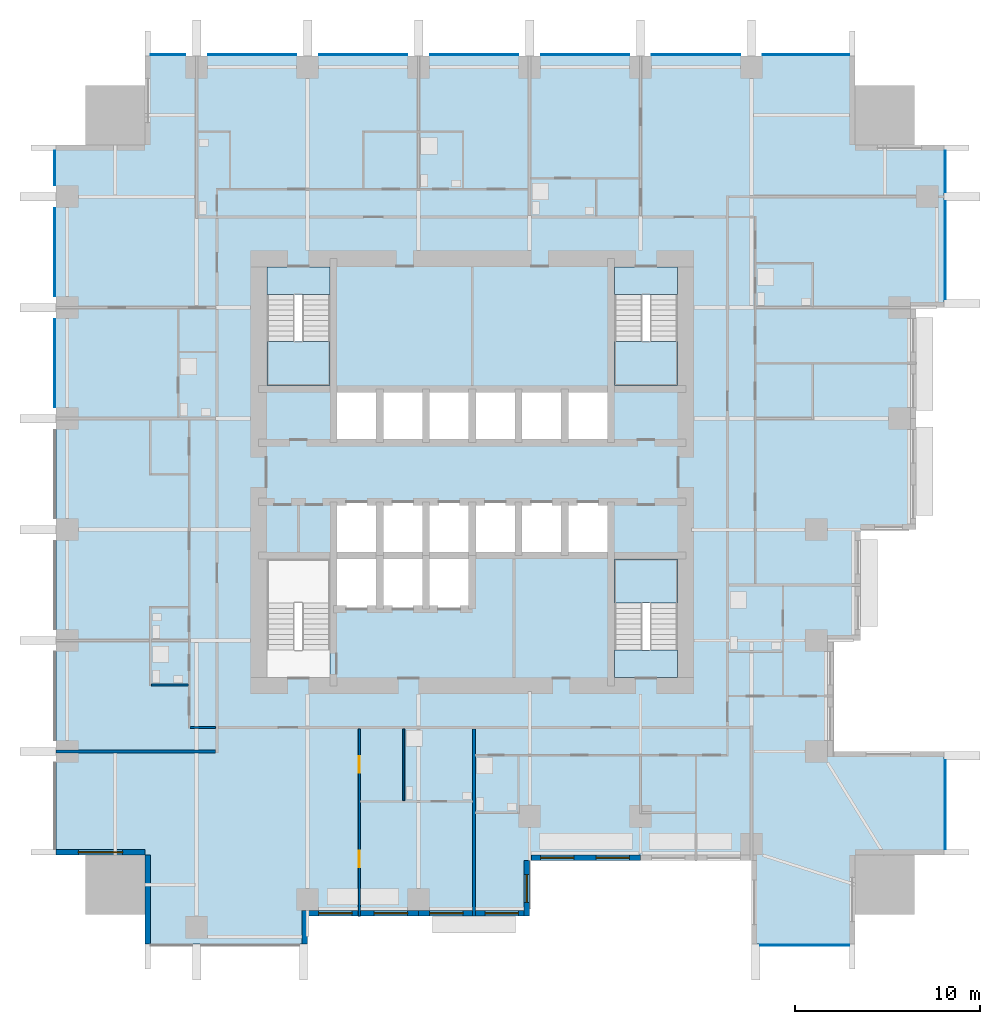
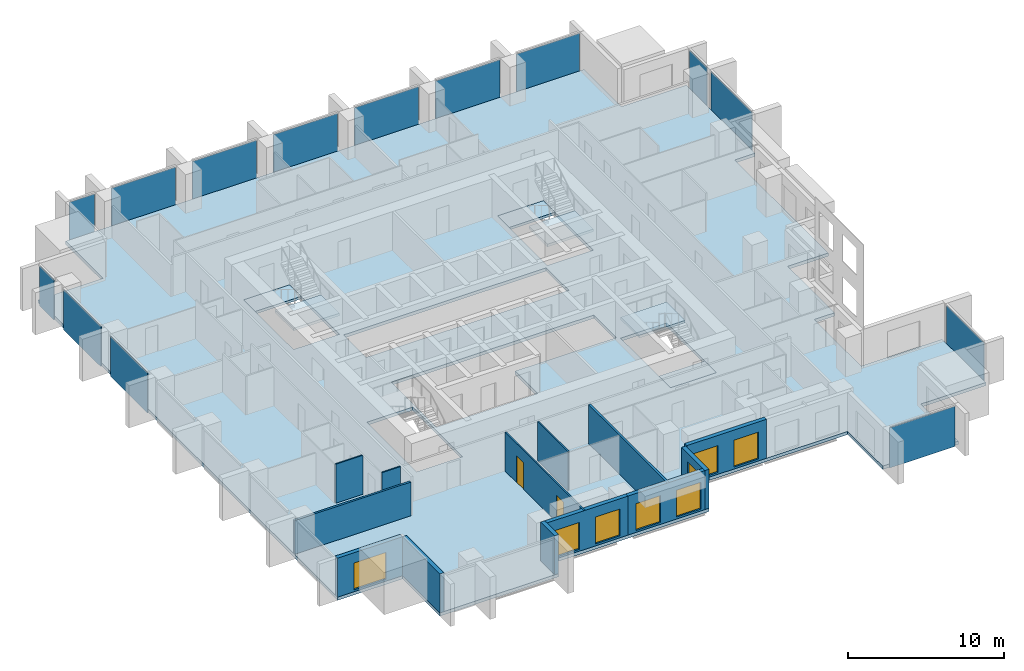
# One storey, part 3 of 10: 14 plates, 13 walls, 8 windows, 7 slabs, 2 doors, 10 openings, 8 elements without a shape of their own.
"""IFC4 building model written with IfcOpenShell, lengths in metres."""

from ifc_helpers import new_model, si_unit, direction, frame, frame_2d, origin, origin_2d, place, context, subcontext, project, spatial, polyline, rectangle, outline, extrude, material, layer, layer_set, type_object, element, fill, aggregate, save


model = new_model("IFC4")

# Units and contexts
model_context = context("Model", 3, precision=1e-05, world=origin(), true_north=direction((0.0, 1.0)))
body_context = subcontext(model_context, "Body", "Model", "MODEL_VIEW")
ifc_project = project(units=[si_unit("LENGTHUNIT", "METRE"), si_unit("AREAUNIT", "SQUARE_METRE"), si_unit("VOLUMEUNIT", "CUBIC_METRE"), si_unit("PLANEANGLEUNIT", "RADIAN"), si_unit("MASSUNIT", "GRAM", prefix="KILO")], contexts=[model_context])

# Site, building, storey
site_placement = place(None, origin())
site = spatial("IfcSite", under=ifc_project, at=site_placement, CompositionType="ELEMENT")
building_placement = place(site_placement, origin())
building = spatial("IfcBuilding", under=site, at=building_placement, Name="Amberfall Residences", CompositionType="ELEMENT")
storey_placement = place(building_placement, frame((0.0, 0.0, 40.0)))
storey = spatial("IfcBuildingStorey", under=building, at=storey_placement, Name="L10", CompositionType="ELEMENT", Elevation=40.0)

# Curtain wall, plate
ifc_material_1 = material(Name="Bronze anodised aluminium and glass", Category="aluminium")
curtain_wall_type = type_object("IfcCurtainWallType", Name="Curtain wall CW1 tower unit", PredefinedType="USERDEFINED", material=ifc_material_1)
curtain_wall_1_placement = place(storey_placement, origin())
curtain_wall_1 = element("IfcCurtainWall", 1, at=curtain_wall_1_placement, inside=storey, type_object=curtain_wall_type, Name="Curtain wall L10 S S9", ObjectType="UNITISED CURTAIN WALL", PredefinedType="USERDEFINED")
ifc_material_2 = material(Name="Tinted double glazed unit", Category="glass")
ifc_layer_1 = layer(ifc_material_2, 0.035888671875)
ifc_layer_set_1 = layer_set([ifc_layer_1], Name="CW1 panel 36 glazing")
plate_type = type_object("IfcPlateType", Name="CW1 panel 36 glazing", PredefinedType="CURTAIN_PANEL", material=ifc_layer_set_1)
plate_1_placement = place(storey_placement, frame((92.47509765625, 19.925048828125, -0.25), z_axis=(0.0, 0.0, 1.0), x_axis=(1.0, 0.0, 0.0)))
plate_1 = element("IfcPlate", 2, at=plate_1_placement, type_object=plate_type, Name="CW1 panel 1.1", PredefinedType="CURTAIN_PANEL", context=body_context, shape_type="SweptSolid", body=[
    extrude(rectangle(XDim=4.825927734375, YDim=0.035888671875, at=origin_2d()), origin(), (0.0, 0.0, 1.0), 3.14990234375),
])
aggregate(curtain_wall_1, [plate_1])

curtain_wall_2_placement = place(storey_placement, origin())
curtain_wall_2 = element("IfcCurtainWall", 3, at=curtain_wall_2_placement, inside=storey, type_object=curtain_wall_type, Name="Curtain wall L10 E E1", ObjectType="UNITISED CURTAIN WALL", PredefinedType="USERDEFINED")
plate_2_placement = place(storey_placement, frame((100.074951171875, 27.52490234375, -0.25), z_axis=(0.0, 0.0, 1.0), x_axis=(0.0, 1.0, 0.0)))
plate_2 = element("IfcPlate", 4, at=plate_2_placement, type_object=plate_type, Name="CW1 panel 1.1", PredefinedType="CURTAIN_PANEL", context=body_context, shape_type="SweptSolid", body=[
    extrude(rectangle(XDim=4.825927734375, YDim=0.035888671875, at=origin_2d()), origin(), (0.0, 0.0, 1.0), 3.14990234375),
])
aggregate(curtain_wall_2, [plate_2])

# Curtain wall, plates
curtain_wall_3_placement = place(storey_placement, origin())
curtain_wall_3 = element("IfcCurtainWall", 5, at=curtain_wall_3_placement, inside=storey, type_object=curtain_wall_type, Name="Curtain wall L10 E E10", ObjectType="UNITISED CURTAIN WALL", PredefinedType="USERDEFINED")
plate_3_placement = place(storey_placement, frame((100.074951171875, 57.512451171875, -0.25), z_axis=(0.0, 0.0, 1.0), x_axis=(0.0, 1.0, 0.0)))
plate_3 = element("IfcPlate", 6, at=plate_3_placement, type_object=plate_type, Name="CW1 panel 1.1", PredefinedType="CURTAIN_PANEL", context=body_context, shape_type="SweptSolid", body=[
    extrude(rectangle(XDim=5.301025390625, YDim=0.035888671875, at=origin_2d()), origin(), (0.0, 0.0, 1.0), 3.14990234375),
])
plate_4_placement = place(storey_placement, frame((100.074951171875, 61.762451171875, -0.25), z_axis=(0.0, 0.0, 1.0), x_axis=(0.0, 1.0, 0.0)))
plate_4 = element("IfcPlate", 7, at=plate_4_placement, type_object=plate_type, Name="CW1 panel 2.1", PredefinedType="CURTAIN_PANEL", context=body_context, shape_type="SweptSolid", body=[
    extrude(rectangle(XDim=2.2509765625, YDim=0.035888671875, at=origin_2d()), origin(), (0.0, 0.0, 1.0), 3.14990234375),
])
aggregate(curtain_wall_3, [plate_3, plate_4])

curtain_wall_4_placement = place(storey_placement, origin())
curtain_wall_4 = element("IfcCurtainWall", 8, at=curtain_wall_4_placement, inside=storey, type_object=curtain_wall_type, Name="Curtain wall L10 N N1", ObjectType="UNITISED CURTAIN WALL", PredefinedType="USERDEFINED")
plate_5_placement = place(storey_placement, frame((92.552490234375, 68.074951171875, -0.25), z_axis=(0.0, 0.0, 1.0), x_axis=(-1.0, 0.0, 0.0)))
plate_5 = element("IfcPlate", 9, at=plate_5_placement, type_object=plate_type, Name="CW1 panel 1.1", PredefinedType="CURTAIN_PANEL", context=body_context, shape_type="SweptSolid", body=[
    extrude(rectangle(XDim=4.6708984375, YDim=0.035888671875, at=origin_2d()), origin(), (0.0, 0.0, 1.0), 3.14990234375),
])
plate_6_placement = place(storey_placement, frame((86.60009765625, 68.074951171875, -0.25), z_axis=(0.0, 0.0, 1.0), x_axis=(-1.0, 0.0, 0.0)))
plate_6 = element("IfcPlate", 10, at=plate_6_placement, type_object=plate_type, Name="CW1 panel 2.1", PredefinedType="CURTAIN_PANEL", context=body_context, shape_type="SweptSolid", body=[
    extrude(rectangle(XDim=4.76611328125, YDim=0.035888671875, at=origin_2d()), origin(), (0.0, 0.0, 1.0), 3.14990234375),
])
plate_7_placement = place(storey_placement, frame((80.60009765625, 68.074951171875, -0.25), z_axis=(0.0, 0.0, 1.0), x_axis=(-1.0, 0.0, 0.0)))
plate_7 = element("IfcPlate", 11, at=plate_7_placement, type_object=plate_type, Name="CW1 panel 3.1", PredefinedType="CURTAIN_PANEL", context=body_context, shape_type="SweptSolid", body=[
    extrude(rectangle(XDim=4.76611328125, YDim=0.035888671875, at=origin_2d()), origin(), (0.0, 0.0, 1.0), 3.14990234375),
])
plate_8_placement = place(storey_placement, frame((74.60009765625, 68.074951171875, -0.25), z_axis=(0.0, 0.0, 1.0), x_axis=(-1.0, 0.0, 0.0)))
plate_8 = element("IfcPlate", 12, at=plate_8_placement, type_object=plate_type, Name="CW1 panel 4.1", PredefinedType="CURTAIN_PANEL", context=body_context, shape_type="SweptSolid", body=[
    extrude(rectangle(XDim=4.76611328125, YDim=0.035888671875, at=origin_2d()), origin(), (0.0, 0.0, 1.0), 3.14990234375),
])
plate_9_placement = place(storey_placement, frame((68.60009765625, 68.074951171875, -0.25), z_axis=(0.0, 0.0, 1.0), x_axis=(-1.0, 0.0, 0.0)))
plate_9 = element("IfcPlate", 13, at=plate_9_placement, type_object=plate_type, Name="CW1 panel 5.1", PredefinedType="CURTAIN_PANEL", context=body_context, shape_type="SweptSolid", body=[
    extrude(rectangle(XDim=4.76611328125, YDim=0.035888671875, at=origin_2d()), origin(), (0.0, 0.0, 1.0), 3.14990234375),
])
plate_10_placement = place(storey_placement, frame((62.60009765625, 68.074951171875, -0.25), z_axis=(0.0, 0.0, 1.0), x_axis=(-1.0, 0.0, 0.0)))
plate_10 = element("IfcPlate", 14, at=plate_10_placement, type_object=plate_type, Name="CW1 panel 6.1", PredefinedType="CURTAIN_PANEL", context=body_context, shape_type="SweptSolid", body=[
    extrude(rectangle(XDim=4.76611328125, YDim=0.035888671875, at=origin_2d()), origin(), (0.0, 0.0, 1.0), 3.14990234375),
])
plate_11_placement = place(storey_placement, frame((58.047607421875, 68.074951171875, -0.25), z_axis=(0.0, 0.0, 1.0), x_axis=(-1.0, 0.0, 0.0)))
plate_11 = element("IfcPlate", 15, at=plate_11_placement, type_object=plate_type, Name="CW1 panel 7.1", PredefinedType="CURTAIN_PANEL", context=body_context, shape_type="SweptSolid", body=[
    extrude(rectangle(XDim=1.87109375, YDim=0.035888671875, at=origin_2d()), origin(), (0.0, 0.0, 1.0), 3.14990234375),
])
aggregate(curtain_wall_4, [plate_5, plate_6, plate_7, plate_8, plate_9, plate_10, plate_11])

curtain_wall_5_placement = place(storey_placement, origin())
curtain_wall_5 = element("IfcCurtainWall", 16, at=curtain_wall_5_placement, inside=storey, type_object=curtain_wall_type, Name="Curtain wall L10 W W1", ObjectType="UNITISED CURTAIN WALL", PredefinedType="USERDEFINED")
plate_12_placement = place(storey_placement, frame((51.925048828125, 61.952392578125, -0.25), z_axis=(0.0, 0.0, 1.0), x_axis=(0.0, -1.0, 0.0)))
plate_12 = element("IfcPlate", 17, at=plate_12_placement, type_object=plate_type, Name="CW1 panel 1.1", PredefinedType="CURTAIN_PANEL", context=body_context, shape_type="SweptSolid", body=[
    extrude(rectangle(XDim=1.87109375, YDim=0.035888671875, at=origin_2d()), origin(), (0.0, 0.0, 1.0), 3.14990234375),
])
plate_13_placement = place(storey_placement, frame((51.925048828125, 57.39990234375, -0.25), z_axis=(0.0, 0.0, 1.0), x_axis=(0.0, -1.0, 0.0)))
plate_13 = element("IfcPlate", 18, at=plate_13_placement, type_object=plate_type, Name="CW1 panel 2.1", PredefinedType="CURTAIN_PANEL", context=body_context, shape_type="SweptSolid", body=[
    extrude(rectangle(XDim=4.76611328125, YDim=0.035888671875, at=origin_2d()), origin(), (0.0, 0.0, 1.0), 3.14990234375),
])
plate_14_placement = place(storey_placement, frame((51.925048828125, 51.39990234375, -0.25), z_axis=(0.0, 0.0, 1.0), x_axis=(0.0, -1.0, 0.0)))
plate_14 = element("IfcPlate", 19, at=plate_14_placement, type_object=plate_type, Name="CW1 panel 3.1", PredefinedType="CURTAIN_PANEL", context=body_context, shape_type="SweptSolid", body=[
    extrude(rectangle(XDim=4.76611328125, YDim=0.035888671875, at=origin_2d()), origin(), (0.0, 0.0, 1.0), 3.14990234375),
])
aggregate(curtain_wall_5, [plate_12, plate_13, plate_14])

# Slab
ifc_material_3 = material(Name="Concrete C80", Category="concrete")
ifc_layer_2 = layer(ifc_material_3, 0.25)
ifc_layer_set_2 = layer_set([ifc_layer_2], Name="Floor slab 250 C80")
slab_type_1 = type_object("IfcSlabType", Name="Floor slab 250 C80", PredefinedType="FLOOR", material=ifc_layer_set_2)
slab_1_placement = place(storey_placement, frame((0.0, 0.0, -0.25)))
element("IfcSlab", 20, at=slab_1_placement, inside=storey, type_object=slab_type_1, Name="Floor slab S3 L10", PredefinedType="FLOOR", context=body_context, shape_type="SweptSolid", body=[
    extrude(outline(polyline([(89.60009765625, 20.0), (89.60009765625, 24.5), (83.60009765625, 24.5), (77.60009765625, 24.5), (77.60009765625, 21.5), (71.60009765625, 21.5), (65.60009765625, 21.5), (65.60009765625, 20.0), (56.800048828125, 20.0), (56.800048828125, 24.800048828125), (52.0, 24.800048828125), (52.0, 63.199951171875), (56.800048828125, 63.199951171875), (56.800048828125, 68.0), (95.199951171875, 68.0), (95.199951171875, 63.199951171875), (100.0, 63.199951171875), (100.0, 54.39990234375), (98.5, 54.39990234375), (98.5, 48.39990234375), (98.5, 42.39990234375), (95.5, 42.39990234375), (95.5, 36.39990234375), (94.0, 36.39990234375), (94.0, 30.39990234375), (100.0, 30.39990234375), (100.0, 24.800048828125), (95.199951171875, 24.800048828125), (95.199951171875, 20.0), (89.60009765625, 20.0)]), holes=[polyline([(85.60009765625, 34.39990234375), (85.60009765625, 40.800048828125), (82.199951171875, 40.800048828125), (82.199951171875, 34.39990234375), (85.60009765625, 34.39990234375)]), polyline([(82.199951171875, 50.199951171875), (85.60009765625, 50.199951171875), (85.60009765625, 56.60009765625), (82.199951171875, 56.60009765625), (82.199951171875, 50.199951171875)]), polyline([(69.5, 50.0), (67.0, 50.0), (67.0, 47.10009765625), (69.5, 47.10009765625), (72.0, 47.10009765625), (74.5, 47.10009765625), (77.0, 47.10009765625), (79.5, 47.10009765625), (82.0, 47.10009765625), (82.0, 50.0), (79.5, 50.0), (77.0, 50.0), (74.5, 50.0), (72.0, 50.0), (69.5, 50.0)]), polyline([(74.5, 41.0), (77.0, 41.0), (79.5, 41.0), (82.0, 41.0), (82.0, 43.89990234375), (79.5, 43.89990234375), (77.0, 43.89990234375), (74.5, 43.89990234375), (72.0, 43.89990234375), (69.5, 43.89990234375), (67.0, 43.89990234375), (67.0, 41.0), (67.0, 38.10009765625), (69.5, 38.10009765625), (72.0, 38.10009765625), (74.5, 38.10009765625), (74.5, 41.0)]), polyline([(66.800048828125, 34.39990234375), (66.800048828125, 40.800048828125), (63.39990234375, 40.800048828125), (63.39990234375, 34.39990234375), (66.800048828125, 34.39990234375)]), polyline([(66.800048828125, 50.199951171875), (66.800048828125, 56.60009765625), (63.39990234375, 56.60009765625), (63.39990234375, 50.199951171875), (66.800048828125, 50.199951171875)])]), origin(), (0.0, 0.0, 1.0), 0.25),
])

# Stair, slabs
ifc_material_4 = material(Name="Concrete C40", Category="concrete")
stair_type = type_object("IfcStairType", Name="Exit stair 20 risers 165.0 mm", PredefinedType="HALF_TURN_STAIR", material=ifc_material_4)
stair_1_placement = place(storey_placement, origin())
stair_1 = element("IfcStair", 21, at=stair_1_placement, inside=storey, type_object=stair_type, Name="L10 Exit stair 2", PredefinedType="HALF_TURN_STAIR")
ifc_layer_3 = layer(ifc_material_4, 0.199951171875)
ifc_layer_set_3 = layer_set([ifc_layer_3], Name="Stair landing 200")
slab_type_2 = type_object("IfcSlabType", Name="Stair landing 200", PredefinedType="LANDING", material=ifc_layer_set_3)
slab_2_placement = place(storey_placement, frame((0.0, 0.0, 1.449951171875)))
slab_2 = element("IfcSlab", 22, at=slab_2_placement, type_object=slab_type_2, Name="ST3 landing 1", PredefinedType="LANDING", context=body_context, shape_type="SweptSolid", body=[
    extrude(outline(polyline([(85.60009765625, 38.419921875), (85.60009765625, 40.800048828125), (82.199951171875, 40.800048828125), (82.199951171875, 38.419921875), (85.60009765625, 38.419921875)])), origin(), (0.0, 0.0, 1.0), 0.199951171875),
])
slab_3_placement = place(storey_placement, frame((0.0, 0.0, -0.199951171875)))
slab_3 = element("IfcSlab", 23, at=slab_3_placement, type_object=slab_type_2, Name="ST3 landing 2", PredefinedType="LANDING", context=body_context, shape_type="SweptSolid", body=[
    extrude(outline(polyline([(85.60009765625, 34.39990234375), (85.60009765625, 35.89990234375), (82.199951171875, 35.89990234375), (82.199951171875, 34.39990234375), (85.60009765625, 34.39990234375)])), origin(), (0.0, 0.0, 1.0), 0.199951171875),
])
aggregate(stair_1, [slab_2, slab_3])

stair_2_placement = place(storey_placement, origin())
stair_2 = element("IfcStair", 24, at=stair_2_placement, inside=storey, type_object=stair_type, Name="L10 Exit stair 3", PredefinedType="HALF_TURN_STAIR")
slab_4_placement = place(storey_placement, frame((0.0, 0.0, 1.449951171875)))
slab_4 = element("IfcSlab", 25, at=slab_4_placement, type_object=slab_type_2, Name="ST3 landing 1", PredefinedType="LANDING", context=body_context, shape_type="SweptSolid", body=[
    extrude(outline(polyline([(82.199951171875, 52.580078125), (82.199951171875, 50.199951171875), (85.60009765625, 50.199951171875), (85.60009765625, 52.580078125), (82.199951171875, 52.580078125)])), origin(), (0.0, 0.0, 1.0), 0.199951171875),
])
slab_5_placement = place(storey_placement, frame((0.0, 0.0, -0.199951171875)))
slab_5 = element("IfcSlab", 26, at=slab_5_placement, type_object=slab_type_2, Name="ST3 landing 2", PredefinedType="LANDING", context=body_context, shape_type="SweptSolid", body=[
    extrude(outline(polyline([(82.199951171875, 56.60009765625), (82.199951171875, 55.10009765625), (85.60009765625, 55.10009765625), (85.60009765625, 56.60009765625), (82.199951171875, 56.60009765625)])), origin(), (0.0, 0.0, 1.0), 0.199951171875),
])
aggregate(stair_2, [slab_4, slab_5])

stair_3_placement = place(storey_placement, origin())
stair_3 = element("IfcStair", 27, at=stair_3_placement, inside=storey, type_object=stair_type, Name="L10 Exit stair 4", PredefinedType="HALF_TURN_STAIR")
slab_6_placement = place(storey_placement, frame((0.0, 0.0, 1.449951171875)))
slab_6 = element("IfcSlab", 28, at=slab_6_placement, type_object=slab_type_2, Name="ST3 landing 1", PredefinedType="LANDING", context=body_context, shape_type="SweptSolid", body=[
    extrude(outline(polyline([(63.39990234375, 52.580078125), (63.39990234375, 50.199951171875), (66.800048828125, 50.199951171875), (66.800048828125, 52.580078125), (63.39990234375, 52.580078125)])), origin(), (0.0, 0.0, 1.0), 0.199951171875),
])
slab_7_placement = place(storey_placement, frame((0.0, 0.0, -0.199951171875)))
slab_7 = element("IfcSlab", 29, at=slab_7_placement, type_object=slab_type_2, Name="ST3 landing 2", PredefinedType="LANDING", context=body_context, shape_type="SweptSolid", body=[
    extrude(outline(polyline([(63.39990234375, 56.60009765625), (63.39990234375, 55.10009765625), (66.800048828125, 55.10009765625), (66.800048828125, 56.60009765625), (63.39990234375, 56.60009765625)])), origin(), (0.0, 0.0, 1.0), 0.199951171875),
])
aggregate(stair_3, [slab_6, slab_7])

# Wall
ifc_material_5 = material(Name="Pale stone cladding on insulated backing", Category="masonry")
ifc_layer_4 = layer(ifc_material_5, 0.300048828125)
ifc_layer_set_4 = layer_set([ifc_layer_4], Name="Bronze clad wall 300")
wall_type_1 = type_object("IfcWallType", Name="Bronze clad wall 300", PredefinedType="SOLIDWALL", material=ifc_layer_set_4)
wall_1_placement = place(storey_placement, frame((65.449951171875, 20.0, 0.0), z_axis=(0.0, 0.0, 1.0), x_axis=(0.0, 1.0, 0.0)))
element("IfcWall", 30, at=wall_1_placement, inside=storey, type_object=wall_type_1, Name="External wall L10 S", PredefinedType="SOLIDWALL", context=body_context, shape_type="SweptSolid", body=[
    extrude(rectangle(XDim=1.800048828125, YDim=0.300048828125, at=frame_2d((0.89990234375, 0.0))), origin(), (0.0, 0.0, 1.0), 3.050048828125),
])

# Wall, opening, window
wall_2_placement = place(storey_placement, frame((77.449951171875, 21.5, 0.0), z_axis=(0.0, 0.0, 1.0), x_axis=(0.0, 1.0, 0.0)))
wall_2 = element("IfcWall", 31, at=wall_2_placement, inside=storey, type_object=wall_type_1, Name="External wall L10 S", PredefinedType="SOLIDWALL", context=body_context, shape_type="SweptSolid", body=[
    extrude(rectangle(XDim=3.0, YDim=0.300048828125, at=frame_2d((1.5, 0.0))), origin(), (0.0, 0.0, 1.0), 3.050048828125),
])
opening_1_placement = place(wall_2_placement, frame((0.75, 0.0, 0.89990234375)))
opening_1 = element("IfcOpeningElement", 32, at=opening_1_placement, cuts=wall_2, Name="Opening WN1", PredefinedType="OPENING", context=body_context, shape_type="SweptSolid", body=[
    extrude(rectangle(XDim=1.5, YDim=1.5, at=frame_2d((0.75, 0.75))), frame((0.0, 0.159912109375, 0.0), z_axis=(0.0, -1.0, 0.0), x_axis=(1.0, 0.0, 0.0)), (0.0, 0.0, 1.0), 0.320068359375),
])
ifc_material_6 = material(Name="Bronze aluminium framed glazing", Category="aluminium")
window_type_1 = type_object("IfcWindowType", Name="Window 1500 x 1500 bronze", PartitioningType="DOUBLE_PANEL_VERTICAL", PredefinedType="WINDOW", material=ifc_material_6)
window_1_placement = place(opening_1_placement, origin())
window_1 = element("IfcWindow", 33, at=window_1_placement, inside=storey, type_object=window_type_1, Name="Window L10 S", OverallHeight=1.5, OverallWidth=1.5, PartitioningType="DOUBLE_PANEL_VERTICAL", PredefinedType="WINDOW", context=body_context, shape_type="SweptSolid", body=[
    extrude(rectangle(XDim=1.5, YDim=1.5, at=frame_2d((0.75, 0.75))), frame((0.0, 0.030029296875, 0.0), z_axis=(0.0, -1.0, 0.0), x_axis=(1.0, 0.0, 0.0)), (0.0, 0.0, 1.0), 0.06005859375),
])
fill(opening_1, window_1)

wall_3_placement = place(storey_placement, frame((52.0, 24.949951171875, 0.0), z_axis=(0.0, 0.0, 1.0), x_axis=(1.0, 0.0, 0.0)))
wall_3 = element("IfcWall", 34, at=wall_3_placement, inside=storey, type_object=wall_type_1, Name="External wall L10 SW", PredefinedType="SOLIDWALL", context=body_context, shape_type="SweptSolid", body=[
    extrude(rectangle(XDim=4.800048828125, YDim=0.300048828125, at=frame_2d((2.39990234375, 0.0))), origin(), (0.0, 0.0, 1.0), 3.050048828125),
])
opening_2_placement = place(wall_3_placement, frame((1.199951171875, 0.0, 0.14990234375)))
opening_2 = element("IfcOpeningElement", 35, at=opening_2_placement, cuts=wall_3, Name="Opening WN5", PredefinedType="OPENING", context=body_context, shape_type="SweptSolid", body=[
    extrude(rectangle(XDim=2.39990234375, YDim=2.10009765625, at=frame_2d((1.199951171875, 1.050048828125))), frame((0.0, 0.159912109375, 0.0), z_axis=(0.0, -1.0, 0.0), x_axis=(1.0, 0.0, 0.0)), (0.0, 0.0, 1.0), 0.320068359375),
])
window_type_2 = type_object("IfcWindowType", Name="Glazed opening 2400 x 2100 bronze", PartitioningType="DOUBLE_PANEL_VERTICAL", PredefinedType="WINDOW", material=ifc_material_6)
window_2_placement = place(opening_2_placement, origin())
window_2 = element("IfcWindow", 36, at=window_2_placement, inside=storey, type_object=window_type_2, Name="Window L10 SW", OverallHeight=2.10009765625, OverallWidth=2.39990234375, PartitioningType="DOUBLE_PANEL_VERTICAL", PredefinedType="WINDOW", context=body_context, shape_type="SweptSolid", body=[
    extrude(rectangle(XDim=2.39990234375, YDim=2.10009765625, at=frame_2d((1.199951171875, 1.050048828125))), frame((0.0, 0.030029296875, 0.0), z_axis=(0.0, -1.0, 0.0), x_axis=(1.0, 0.0, 0.0)), (0.0, 0.0, 1.0), 0.06005859375),
])
fill(opening_2, window_2)

# Wall
wall_4_placement = place(storey_placement, frame((56.949951171875, 24.800048828125, 0.0), z_axis=(0.0, 0.0, 1.0), x_axis=(0.0, -1.0, 0.0)))
element("IfcWall", 37, at=wall_4_placement, inside=storey, type_object=wall_type_1, Name="External wall L10 SW", PredefinedType="SOLIDWALL", context=body_context, shape_type="SweptSolid", body=[
    extrude(rectangle(XDim=4.800048828125, YDim=0.300048828125, at=frame_2d((2.39990234375, 0.0))), origin(), (0.0, 0.0, 1.0), 3.050048828125),
])

# Wall, openings, windows
wall_5_placement = place(storey_placement, frame((65.60009765625, 21.64990234375, 0.0), z_axis=(0.0, 0.0, 1.0), x_axis=(1.0, 0.0, 0.0)))
wall_5 = element("IfcWall", 38, at=wall_5_placement, inside=storey, type_object=wall_type_1, Name="Stone wall L10 S", PredefinedType="SOLIDWALL", context=body_context, shape_type="SweptSolid", body=[
    extrude(rectangle(XDim=6.0, YDim=0.300048828125, at=frame_2d((3.0, 0.0))), origin(), (0.0, 0.0, 1.0), 3.050048828125),
])
opening_3_placement = place(wall_5_placement, frame((0.60009765625, 0.0, 0.14990234375)))
opening_3 = element("IfcOpeningElement", 39, at=opening_3_placement, cuts=wall_5, Name="Opening WN6", PredefinedType="OPENING", context=body_context, shape_type="SweptSolid", body=[
    extrude(rectangle(XDim=1.800048828125, YDim=2.10009765625, at=frame_2d((0.89990234375, 1.050048828125))), frame((0.0, 0.159912109375, 0.0), z_axis=(0.0, -1.0, 0.0), x_axis=(1.0, 0.0, 0.0)), (0.0, 0.0, 1.0), 0.320068359375),
])
opening_4_placement = place(wall_5_placement, frame((3.60009765625, 0.0, 0.14990234375)))
opening_4 = element("IfcOpeningElement", 40, at=opening_4_placement, cuts=wall_5, Name="Opening WN6", PredefinedType="OPENING", context=body_context, shape_type="SweptSolid", body=[
    extrude(rectangle(XDim=1.800048828125, YDim=2.10009765625, at=frame_2d((0.89990234375, 1.050048828125))), frame((0.0, 0.159912109375, 0.0), z_axis=(0.0, -1.0, 0.0), x_axis=(1.0, 0.0, 0.0)), (0.0, 0.0, 1.0), 0.320068359375),
])
window_type_3 = type_object("IfcWindowType", Name="Glazed opening 1800 x 2100 bronze", PartitioningType="DOUBLE_PANEL_VERTICAL", PredefinedType="WINDOW", material=ifc_material_6)
window_3_placement = place(opening_3_placement, origin())
window_3 = element("IfcWindow", 41, at=window_3_placement, inside=storey, type_object=window_type_3, Name="Window L10 S", OverallHeight=2.10009765625, OverallWidth=1.800048828125, PartitioningType="DOUBLE_PANEL_VERTICAL", PredefinedType="WINDOW", context=body_context, shape_type="SweptSolid", body=[
    extrude(rectangle(XDim=1.800048828125, YDim=2.10009765625, at=frame_2d((0.89990234375, 1.050048828125))), frame((0.0, 0.030029296875, 0.0), z_axis=(0.0, -1.0, 0.0), x_axis=(1.0, 0.0, 0.0)), (0.0, 0.0, 1.0), 0.06005859375),
])
fill(opening_3, window_3)
window_4_placement = place(opening_4_placement, origin())
window_4 = element("IfcWindow", 42, at=window_4_placement, inside=storey, type_object=window_type_3, Name="Window L10 S", OverallHeight=2.10009765625, OverallWidth=1.800048828125, PartitioningType="DOUBLE_PANEL_VERTICAL", PredefinedType="WINDOW", context=body_context, shape_type="SweptSolid", body=[
    extrude(rectangle(XDim=1.800048828125, YDim=2.10009765625, at=frame_2d((0.89990234375, 1.050048828125))), frame((0.0, 0.030029296875, 0.0), z_axis=(0.0, -1.0, 0.0), x_axis=(1.0, 0.0, 0.0)), (0.0, 0.0, 1.0), 0.06005859375),
])
fill(opening_4, window_4)

wall_6_placement = place(storey_placement, frame((71.60009765625, 21.64990234375, 0.0), z_axis=(0.0, 0.0, 1.0), x_axis=(1.0, 0.0, 0.0)))
wall_6 = element("IfcWall", 43, at=wall_6_placement, inside=storey, type_object=wall_type_1, Name="Stone wall L10 S", PredefinedType="SOLIDWALL", context=body_context, shape_type="SweptSolid", body=[
    extrude(rectangle(XDim=5.699951171875, YDim=0.300048828125, at=frame_2d((2.85009765625, 0.0))), origin(), (0.0, 0.0, 1.0), 3.050048828125),
])
opening_5_placement = place(wall_6_placement, frame((0.60009765625, 0.0, 0.14990234375)))
opening_5 = element("IfcOpeningElement", 44, at=opening_5_placement, cuts=wall_6, Name="Opening WN6", PredefinedType="OPENING", context=body_context, shape_type="SweptSolid", body=[
    extrude(rectangle(XDim=1.800048828125, YDim=2.10009765625, at=frame_2d((0.89990234375, 1.050048828125))), frame((0.0, 0.159912109375, 0.0), z_axis=(0.0, -1.0, 0.0), x_axis=(1.0, 0.0, 0.0)), (0.0, 0.0, 1.0), 0.320068359375),
])
opening_6_placement = place(wall_6_placement, frame((3.60009765625, 0.0, 0.14990234375)))
opening_6 = element("IfcOpeningElement", 45, at=opening_6_placement, cuts=wall_6, Name="Opening WN6", PredefinedType="OPENING", context=body_context, shape_type="SweptSolid", body=[
    extrude(rectangle(XDim=1.800048828125, YDim=2.10009765625, at=frame_2d((0.89990234375, 1.050048828125))), frame((0.0, 0.159912109375, 0.0), z_axis=(0.0, -1.0, 0.0), x_axis=(1.0, 0.0, 0.0)), (0.0, 0.0, 1.0), 0.320068359375),
])
window_5_placement = place(opening_5_placement, origin())
window_5 = element("IfcWindow", 46, at=window_5_placement, inside=storey, type_object=window_type_3, Name="Window L10 S", OverallHeight=2.10009765625, OverallWidth=1.800048828125, PartitioningType="DOUBLE_PANEL_VERTICAL", PredefinedType="WINDOW", context=body_context, shape_type="SweptSolid", body=[
    extrude(rectangle(XDim=1.800048828125, YDim=2.10009765625, at=frame_2d((0.89990234375, 1.050048828125))), frame((0.0, 0.030029296875, 0.0), z_axis=(0.0, -1.0, 0.0), x_axis=(1.0, 0.0, 0.0)), (0.0, 0.0, 1.0), 0.06005859375),
])
fill(opening_5, window_5)
window_6_placement = place(opening_6_placement, origin())
window_6 = element("IfcWindow", 47, at=window_6_placement, inside=storey, type_object=window_type_3, Name="Window L10 S", OverallHeight=2.10009765625, OverallWidth=1.800048828125, PartitioningType="DOUBLE_PANEL_VERTICAL", PredefinedType="WINDOW", context=body_context, shape_type="SweptSolid", body=[
    extrude(rectangle(XDim=1.800048828125, YDim=2.10009765625, at=frame_2d((0.89990234375, 1.050048828125))), frame((0.0, 0.030029296875, 0.0), z_axis=(0.0, -1.0, 0.0), x_axis=(1.0, 0.0, 0.0)), (0.0, 0.0, 1.0), 0.06005859375),
])
fill(opening_6, window_6)

wall_7_placement = place(storey_placement, frame((77.68994140625, 24.64990234375, 0.0), z_axis=(0.0, 0.0, 1.0), x_axis=(1.0, 0.0, 0.0)))
wall_7 = element("IfcWall", 48, at=wall_7_placement, inside=storey, type_object=wall_type_1, Name="Stone wall L10 S", PredefinedType="SOLIDWALL", context=body_context, shape_type="SweptSolid", body=[
    extrude(rectangle(XDim=5.91015625, YDim=0.300048828125, at=frame_2d((2.955078125, 0.0))), origin(), (0.0, 0.0, 1.0), 3.050048828125),
])
opening_7_placement = place(wall_7_placement, frame((0.510009765625, 0.0, 0.14990234375)))
opening_7 = element("IfcOpeningElement", 49, at=opening_7_placement, cuts=wall_7, Name="Opening WN6", PredefinedType="OPENING", context=body_context, shape_type="SweptSolid", body=[
    extrude(rectangle(XDim=1.800048828125, YDim=2.10009765625, at=frame_2d((0.89990234375, 1.050048828125))), frame((0.0, 0.159912109375, 0.0), z_axis=(0.0, -1.0, 0.0), x_axis=(1.0, 0.0, 0.0)), (0.0, 0.0, 1.0), 0.320068359375),
])
opening_8_placement = place(wall_7_placement, frame((3.510009765625, 0.0, 0.14990234375)))
opening_8 = element("IfcOpeningElement", 50, at=opening_8_placement, cuts=wall_7, Name="Opening WN6", PredefinedType="OPENING", context=body_context, shape_type="SweptSolid", body=[
    extrude(rectangle(XDim=1.800048828125, YDim=2.10009765625, at=frame_2d((0.89990234375, 1.050048828125))), frame((0.0, 0.159912109375, 0.0), z_axis=(0.0, -1.0, 0.0), x_axis=(1.0, 0.0, 0.0)), (0.0, 0.0, 1.0), 0.320068359375),
])
window_7_placement = place(opening_7_placement, origin())
window_7 = element("IfcWindow", 51, at=window_7_placement, inside=storey, type_object=window_type_3, Name="Window L10 S", OverallHeight=2.10009765625, OverallWidth=1.800048828125, PartitioningType="DOUBLE_PANEL_VERTICAL", PredefinedType="WINDOW", context=body_context, shape_type="SweptSolid", body=[
    extrude(rectangle(XDim=1.800048828125, YDim=2.10009765625, at=frame_2d((0.89990234375, 1.050048828125))), frame((0.0, 0.030029296875, 0.0), z_axis=(0.0, -1.0, 0.0), x_axis=(1.0, 0.0, 0.0)), (0.0, 0.0, 1.0), 0.06005859375),
])
fill(opening_7, window_7)
window_8_placement = place(opening_8_placement, origin())
window_8 = element("IfcWindow", 52, at=window_8_placement, inside=storey, type_object=window_type_3, Name="Window L10 S", OverallHeight=2.10009765625, OverallWidth=1.800048828125, PartitioningType="DOUBLE_PANEL_VERTICAL", PredefinedType="WINDOW", context=body_context, shape_type="SweptSolid", body=[
    extrude(rectangle(XDim=1.800048828125, YDim=2.10009765625, at=frame_2d((0.89990234375, 1.050048828125))), frame((0.0, 0.030029296875, 0.0), z_axis=(0.0, -1.0, 0.0), x_axis=(1.0, 0.0, 0.0)), (0.0, 0.0, 1.0), 0.06005859375),
])
fill(opening_8, window_8)

# Wall, openings, doors
ifc_material_7 = material(Name="Gypsum board on metal stud")
ifc_layer_5 = layer(ifc_material_7, 0.10009765625)
ifc_layer_set_5 = layer_set([ifc_layer_5], Name="Flat partition 100")
wall_type_2 = type_object("IfcWallType", Name="Flat partition 100", PredefinedType="PARTITIONING", material=ifc_layer_set_5)
wall_8_placement = place(storey_placement, frame((68.39990234375, 31.625, 0.0), z_axis=(0.0, 0.0, 1.0), x_axis=(0.0, -1.0, 0.0)))
wall_8 = element("IfcWall", 53, at=wall_8_placement, inside=storey, type_object=wall_type_2, Name="Partition 007", PredefinedType="PARTITIONING", context=body_context, shape_type="SweptSolid", body=[
    extrude(rectangle(XDim=10.125, YDim=0.10009765625, at=frame_2d((5.0625, 0.0))), origin(), (0.0, 0.0, 1.0), 3.050048828125),
])
opening_9_placement = place(wall_8_placement, frame((1.47509765625, 0.0, 0.0)))
opening_9 = element("IfcOpeningElement", 54, at=opening_9_placement, cuts=wall_8, Name="Opening D41", PredefinedType="OPENING", context=body_context, shape_type="SweptSolid", body=[
    extrude(rectangle(XDim=0.89990234375, YDim=2.10009765625, at=frame_2d((0.449951171875, 1.050048828125))), frame((0.0, 0.06005859375, 0.0), z_axis=(0.0, -1.0, 0.0), x_axis=(1.0, 0.0, 0.0)), (0.0, 0.0, 1.0), 0.1201171875),
])
opening_10_placement = place(wall_8_placement, frame((6.574951171875, 0.0, 0.0)))
opening_10 = element("IfcOpeningElement", 55, at=opening_10_placement, cuts=wall_8, Name="Opening D41", PredefinedType="OPENING", context=body_context, shape_type="SweptSolid", body=[
    extrude(rectangle(XDim=0.89990234375, YDim=2.10009765625, at=frame_2d((0.449951171875, 1.050048828125))), frame((0.0, 0.06005859375, 0.0), z_axis=(0.0, -1.0, 0.0), x_axis=(1.0, 0.0, 0.0)), (0.0, 0.0, 1.0), 0.1201171875),
])
ifc_material_8 = material(Name="Timber", Category="wood")
door_type = type_object("IfcDoorType", Name="Internal door 900 x 2100", OperationType="SINGLE_SWING_LEFT", PredefinedType="DOOR", material=ifc_material_8)
door_1_placement = place(opening_9_placement, origin())
door_1 = element("IfcDoor", 56, at=door_1_placement, inside=storey, type_object=door_type, Name="Door 1001 kitchen", OperationType="SINGLE_SWING_LEFT", OverallHeight=2.10009765625, OverallWidth=0.89990234375, PredefinedType="DOOR", context=body_context, shape_type="SweptSolid", body=[
    extrude(rectangle(XDim=0.89990234375, YDim=2.10009765625, at=frame_2d((0.449951171875, 1.050048828125))), frame((0.0, 0.02490234375, 0.0), z_axis=(0.0, -1.0, 0.0), x_axis=(1.0, 0.0, 0.0)), (0.0, 0.0, 1.0), 0.050048828125),
])
fill(opening_9, door_1)
door_2_placement = place(opening_10_placement, origin())
door_2 = element("IfcDoor", 57, at=door_2_placement, inside=storey, type_object=door_type, Name="Door 1001 bedroom1", OperationType="SINGLE_SWING_LEFT", OverallHeight=2.10009765625, OverallWidth=0.89990234375, PredefinedType="DOOR", context=body_context, shape_type="SweptSolid", body=[
    extrude(rectangle(XDim=0.89990234375, YDim=2.10009765625, at=frame_2d((0.449951171875, 1.050048828125))), frame((0.0, 0.02490234375, 0.0), z_axis=(0.0, -1.0, 0.0), x_axis=(1.0, 0.0, 0.0)), (0.0, 0.0, 1.0), 0.050048828125),
])
fill(opening_10, door_2)

# Walls
wall_9_placement = place(storey_placement, frame((70.800048828125, 27.75, 0.0), z_axis=(0.0, 0.0, 1.0), x_axis=(0.0, 1.0, 0.0)))
element("IfcWall", 58, at=wall_9_placement, inside=storey, type_object=wall_type_2, Name="Partition 009", PredefinedType="PARTITIONING", context=body_context, shape_type="SweptSolid", body=[
    extrude(rectangle(XDim=3.875, YDim=0.10009765625, at=frame_2d((1.9375, 0.0))), origin(), (0.0, 0.0, 1.0), 3.050048828125),
])
wall_10_placement = place(storey_placement, frame((57.14990234375, 34.0, 0.0), z_axis=(0.0, 0.0, 1.0), x_axis=(1.0, 0.0, 0.0)))
element("IfcWall", 59, at=wall_10_placement, inside=storey, type_object=wall_type_2, Name="Partition 037", PredefinedType="PARTITIONING", context=body_context, shape_type="SweptSolid", body=[
    extrude(rectangle(XDim=2.0, YDim=0.10009765625, at=frame_2d((1.0, 0.0))), origin(), (0.0, 0.0, 1.0), 3.050048828125),
])
wall_11_placement = place(storey_placement, frame((59.25, 31.699951171875, 0.0), z_axis=(0.0, 0.0, 1.0), x_axis=(1.0, 0.0, 0.0)))
element("IfcWall", 60, at=wall_11_placement, inside=storey, type_object=wall_type_2, Name="Partition 039", PredefinedType="PARTITIONING", context=body_context, shape_type="SweptSolid", body=[
    extrude(rectangle(XDim=1.375, YDim=0.10009765625, at=frame_2d((0.6875, 0.0))), origin(), (0.0, 0.0, 1.0), 3.050048828125),
])
ifc_material_9 = material(Name="Blockwork, plastered", Category="masonry")
ifc_layer_6 = layer(ifc_material_9, 0.14990234375)
ifc_layer_set_6 = layer_set([ifc_layer_6], Name="Flat separating wall 150")
wall_type_3 = type_object("IfcWallType", Name="Flat separating wall 150", PredefinedType="PARTITIONING", material=ifc_layer_set_6)
wall_12_placement = place(storey_placement, frame((74.60009765625, 21.5, 0.0), z_axis=(0.0, 0.0, 1.0), x_axis=(0.0, 1.0, 0.0)))
element("IfcWall", 61, at=wall_12_placement, inside=storey, type_object=wall_type_3, Name="Separating wall 046", PredefinedType="PARTITIONING", context=body_context, shape_type="SweptSolid", body=[
    extrude(rectangle(XDim=10.125, YDim=0.14990234375, at=frame_2d((5.0625, 0.0))), origin(), (0.0, 0.0, 1.0), 3.050048828125),
])
wall_13_placement = place(storey_placement, frame((52.0, 30.39990234375, 0.0), z_axis=(0.0, 0.0, 1.0), x_axis=(1.0, 0.0, 0.0)))
element("IfcWall", 62, at=wall_13_placement, inside=storey, type_object=wall_type_3, Name="Separating wall 055", PredefinedType="PARTITIONING", context=body_context, shape_type="SweptSolid", body=[
    extrude(rectangle(XDim=8.625, YDim=0.14990234375, at=frame_2d((4.3125, 0.0))), origin(), (0.0, 0.0, 1.0), 2.64697265625),
])

save(model, "model.ifc")
